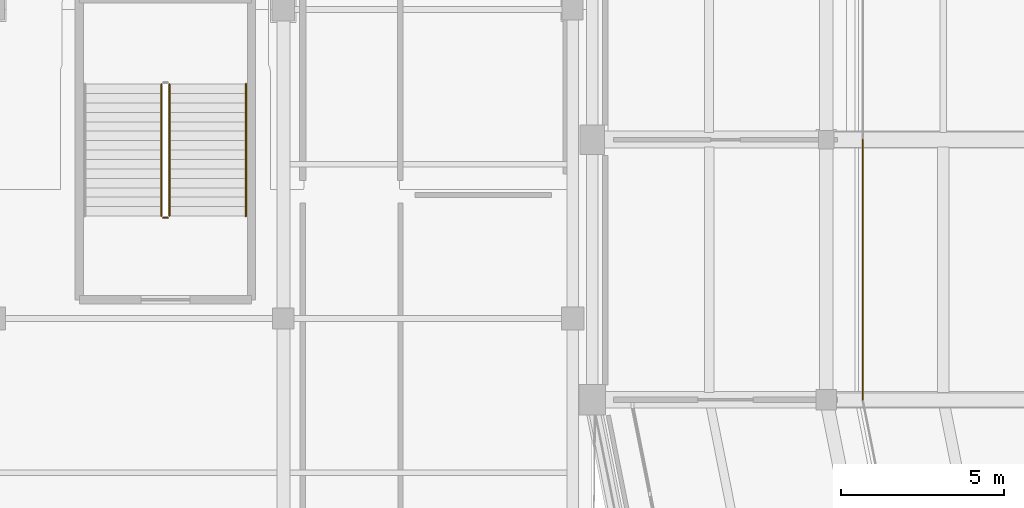
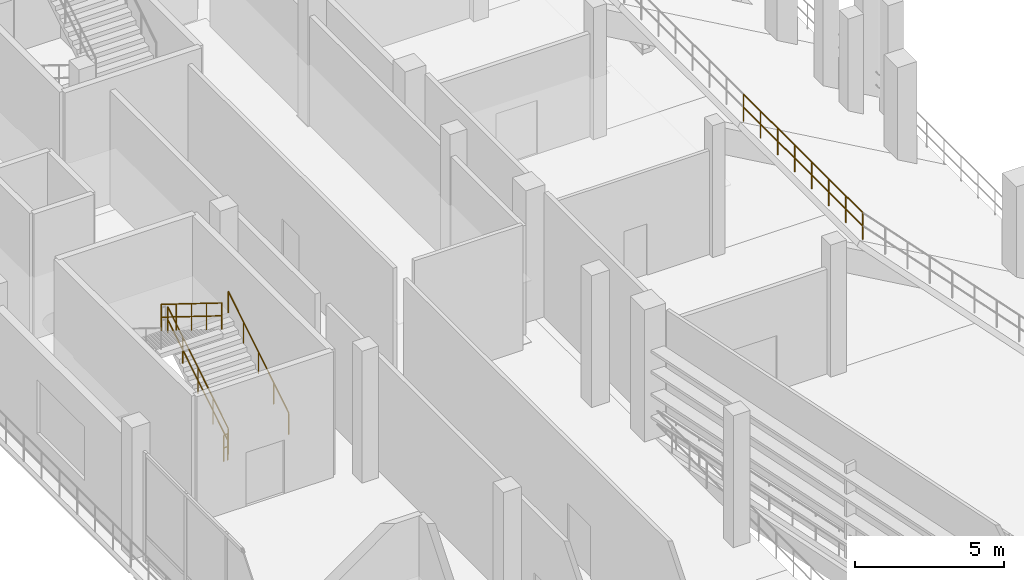
# One storey, part 103 of 127: 5 railings.
"""IFC4 building model written with IfcOpenShell, lengths in metres."""

import ifcopenshell
import ifcopenshell.guid

model = None  # the IFC model being written
_history = None  # IfcOwnerHistory: only IFC2X3 demands one
_inside = {}  # id of a spatial element -> (the spatial element, [elements in it])
_under = {}  # id of a project, library or spatial element -> (it, [spatial elements below it])
_declared = {}  # id of a project -> (the project, [libraries it declares])
_typed = {}  # id of a type object -> (the type object, [elements of that type])
_made_of = {}  # id of a material, layer set ... -> (it, [elements and type objects made of it])


def new_model(schema):
    """Start an empty IFC model of exactly this schema.

    Asked for "IFC4X3", IfcOpenShell would pick the latest addendum, in which some entities
    have other attributes; the version numbers below select the first issue.
    IFC2X3 requires an IfcOwnerHistory on every rooted entity: one is made here for all.
    """
    global model, _history
    if schema == "IFC4X3":
        model = ifcopenshell.file(schema_version=(4, 3, 0, 0))
    else:
        model = ifcopenshell.file(schema=schema)
    _inside.clear()
    _under.clear()
    _declared.clear()
    _typed.clear()
    _made_of.clear()
    _history = None
    if model.schema == "IFC2X3":
        org = make("IfcOrganization", Name="unknown")
        user = make(
            "IfcPersonAndOrganization",
            ThePerson=make("IfcPerson", FamilyName="unknown"),
            TheOrganization=org,
        )
        app = make(
            "IfcApplication",
            ApplicationDeveloper=org,
            Version="unknown",
            ApplicationFullName="unknown",
            ApplicationIdentifier="unknown",
        )
        _history = make(
            "IfcOwnerHistory",
            OwningUser=user,
            OwningApplication=app,
            ChangeAction="ADDED",
            CreationDate=0,
        )
    return model


def make(cls, **values):
    """One entity of the class cls with the attributes given. An attribute that is None is left unset."""
    return model.create_entity(
        cls, **{name: value for name, value in values.items() if value is not None}
    )


def rooted(cls, **values):
    """An entity with a GlobalId (a new one), such as an element, a storey or a relation."""
    return make(cls, GlobalId=ifcopenshell.guid.new(), OwnerHistory=_history, **values)


def si_unit(unit_type, name, prefix=None):
    """IfcSIUnit, for example si_unit("LENGTHUNIT", "METRE", prefix="MILLI")."""
    return make("IfcSIUnit", UnitType=unit_type, Prefix=prefix, Name=name)


def assignment(units):
    """IfcUnitAssignment: the units of a project."""
    return None if units is None else make("IfcUnitAssignment", Units=units)


def point(xyz):
    """IfcCartesianPoint."""
    return None if xyz is None else make("IfcCartesianPoint", Coordinates=xyz)


def direction(xyz):
    """IfcDirection."""
    return None if xyz is None else make("IfcDirection", DirectionRatios=xyz)


def frame(location, z_axis=None, x_axis=None):
    """IfcAxis2Placement3D, a coordinate frame: its origin and axes. An axis left out is left unset."""
    return make(
        "IfcAxis2Placement3D",
        Location=point(location),
        Axis=direction(z_axis),
        RefDirection=direction(x_axis),
    )


def frame_2d(location, x_axis=None):
    """IfcAxis2Placement2D, a coordinate frame in the plane: its origin and x axis."""
    return make(
        "IfcAxis2Placement2D", Location=point(location), RefDirection=direction(x_axis)
    )


def origin():
    """The frame at (0, 0, 0) with its axes left unset."""
    return frame((0.0, 0.0, 0.0))


def origin_2d():
    """The frame at (0, 0) in the plane with its x axis left unset."""
    return frame_2d((0.0, 0.0))


def place(relative_to, where):
    """IfcLocalPlacement: puts the frame where relative to a parent placement (None: the world)."""
    return make(
        "IfcLocalPlacement", PlacementRelTo=relative_to, RelativePlacement=where
    )


def context(
    kind, dimensions, precision=None, world=None, true_north=None, identifier=None
):
    """IfcGeometricRepresentationContext, for example the 3D "Model" context."""
    return make(
        "IfcGeometricRepresentationContext",
        ContextIdentifier=identifier,
        ContextType=kind,
        CoordinateSpaceDimension=dimensions,
        Precision=precision,
        WorldCoordinateSystem=world,
        TrueNorth=true_north,
    )


def subcontext(parent, identifier, kind, view, scale=None):
    """IfcGeometricRepresentationSubContext, for example "Body" below "Model"."""
    return make(
        "IfcGeometricRepresentationSubContext",
        ContextIdentifier=identifier,
        ContextType=kind,
        ParentContext=parent,
        TargetScale=scale,
        TargetView=view,
    )


def project(units=None, contexts=None):
    """IfcProject with its units and contexts."""
    return rooted(
        "IfcProject",
        Name="project",
        RepresentationContexts=contexts,
        UnitsInContext=assignment(units),
    )


def spatial(cls, under=None, at=None, **own):
    """A site, building, storey or space (cls), placed at a placement, below another one or the project."""
    s = rooted(cls, ObjectPlacement=at, **own)
    if under is not None:
        _under.setdefault(under.id(), (under, []))[1].append(s)
    return s


def profile(cls, at=None, kind="AREA", **sizes):
    """A parametric profile (cls). Its sizes go by their IFC names, for example OverallWidth=200.0."""
    return make(cls, ProfileType=kind, Position=at, **sizes)


def circle(**sizes):
    """IfcCircleProfileDef."""
    return profile("IfcCircleProfileDef", **sizes)


def extrude(swept, where, along, depth):
    """IfcExtrudedAreaSolid: the profile swept, set in the frame where, extruded along a direction by depth."""
    return make(
        "IfcExtrudedAreaSolid",
        SweptArea=swept,
        Position=where,
        ExtrudedDirection=direction(along),
        Depth=depth,
    )


def shape(context_of_items, identifier, shape_type, items):
    """IfcShapeRepresentation: the items that make up one representation, for example the "Body"."""
    return make(
        "IfcShapeRepresentation",
        ContextOfItems=context_of_items,
        RepresentationIdentifier=identifier,
        RepresentationType=shape_type,
        Items=items,
    )


def material(Name=None, Category=None):
    """IfcMaterial."""
    return make("IfcMaterial", Name=Name, Category=Category)


def layer(
    of_material, thickness, ventilated=None, Name=None, Category=None, Priority=None
):
    """IfcMaterialLayer: one layer of a wall or slab, of a material (None: an air gap)."""
    return make(
        "IfcMaterialLayer",
        Material=of_material,
        LayerThickness=thickness,
        IsVentilated=ventilated,
        Name=Name,
        Category=Category,
        Priority=Priority,
    )


def layer_set(layers, Name=None):
    """IfcMaterialLayerSet."""
    return make("IfcMaterialLayerSet", MaterialLayers=layers, LayerSetName=Name)


def made_of(thing, what):
    """Note that an element or type object is made of a material, layer set ...; save() writes the relation."""
    if what is not None:
        _made_of.setdefault(what.id(), (what, []))[1].append(thing)
    return thing


def type_object(cls, material=None, **own):
    """A type object (cls), such as IfcWallType, which elements share."""
    return made_of(rooted(cls, **own), material)


def element(
    cls,
    number,
    at=None,
    inside=None,
    cuts=None,
    type_object=None,
    material=None,
    context=None,
    identifier="Body",
    shape_type=None,
    held_by="IfcProductDefinitionShape",
    body=None,
    shapes=None,
    **own,
):
    """One element of the class cls, such as IfcWall. Its Tag is "e" and its number.

    at: its placement. inside: the storey or other place that contains it. cuts: it is an
    opening in that element (IfcRelVoidsElement). A single representation is given by context,
    identifier, shape_type and body (its items); several are given by shapes. held_by: the class
    of the entity that holds the representations. save() writes the other relations.
    """
    e = rooted(cls, Tag="e%d" % number, ObjectPlacement=at, **own)
    if body is not None:
        shapes = [shape(context, identifier, shape_type, body)]
    if shapes is not None:
        e.Representation = make(held_by, Representations=shapes)
    if inside is not None:
        _inside.setdefault(inside.id(), (inside, []))[1].append(e)
    if cuts is not None:
        rooted(
            "IfcRelVoidsElement", RelatingBuildingElement=cuts, RelatedOpeningElement=e
        )
    if type_object is not None:
        _typed.setdefault(type_object.id(), (type_object, []))[1].append(e)
    return made_of(e, material)


def aggregate(whole, parts):
    """IfcRelAggregates: a whole, such as a stair, and the parts it consists of."""
    return rooted("IfcRelAggregates", RelatingObject=whole, RelatedObjects=parts)


def save(model, path):
    """Write the relations noted so far, then the file.

    IfcRelAggregates (storeys below a building ...), IfcRelContainedInSpatialStructure (elements
    in a storey), IfcRelDefinesByType, IfcRelAssociatesMaterial and IfcRelDeclares: one each for
    every whole, place, type object, material and project.
    """
    for whole, parts in _under.values():
        aggregate(whole, parts)
    for where, things in _inside.values():
        rooted(
            "IfcRelContainedInSpatialStructure",
            RelatedElements=things,
            RelatingStructure=where,
        )
    for kind, things in _typed.values():
        rooted("IfcRelDefinesByType", RelatedObjects=things, RelatingType=kind)
    for what, things in _made_of.values():
        rooted("IfcRelAssociatesMaterial", RelatedObjects=things, RelatingMaterial=what)
    for by, libraries in _declared.values():
        rooted("IfcRelDeclares", RelatingContext=by, RelatedDefinitions=libraries)
    model.write(path)


model = new_model("IFC4")

# Units and contexts
model_context = context("Model", 3, precision=1e-05, world=origin(), true_north=direction((0.0, 1.0)))
body_context = subcontext(model_context, "Body", "Model", "MODEL_VIEW")
ifc_project = project(units=[si_unit("LENGTHUNIT", "METRE"), si_unit("AREAUNIT", "SQUARE_METRE"), si_unit("VOLUMEUNIT", "CUBIC_METRE"), si_unit("PLANEANGLEUNIT", "RADIAN"), si_unit("MASSUNIT", "GRAM", prefix="KILO")], contexts=[model_context])

# Site, building, storey
site_placement = place(None, origin())
site = spatial("IfcSite", under=ifc_project, at=site_placement, CompositionType="ELEMENT")
building_placement = place(site_placement, origin())
building = spatial("IfcBuilding", under=site, at=building_placement, Name="Candeia Ridge Stadium", CompositionType="ELEMENT")
storey_placement = place(building_placement, frame((0.0, 0.0, 10.800048828125)))
storey = spatial("IfcBuildingStorey", under=building, at=storey_placement, Name="L02", CompositionType="ELEMENT", Elevation=10.800048828125)

# Railings
ifc_material_1 = material(Name="Galvanized Powder-Coated Steel", Category="steel")
ifc_layer_1 = layer(ifc_material_1, 0.074951171875, Name="Galvanized Powder-Coated Steel", Category="steel")
ifc_layer_set_1 = layer_set([ifc_layer_1], Name="Galvanized Powder-Coated Steel")
railing_type_1 = type_object("IfcRailingType", Name="Spectator Bowl Front Guardrail 1120", PredefinedType="GUARDRAIL", material=ifc_layer_set_1)
railing_1_placement = place(storey_placement, frame((27.320068359375, 79.0, 4.949951171875)))
element("IfcRailing", 1, at=railing_1_placement, inside=storey, type_object=railing_type_1, Name="Stand T2 rear safety guardrail bay 14", PredefinedType="GUARDRAIL", context=body_context, shape_type="SweptSolid", body=[
    extrude(circle(Radius=0.02392578125, at=origin_2d()), frame((0.0, 0.0, 1.09619140625), z_axis=(0.0, -1.0, 0.0), x_axis=(1.0, 0.0, 0.0)), (0.0, 0.0, 1.0), 8.0),
    extrude(circle(Radius=0.02392578125, at=origin_2d()), frame((0.0, 0.0, 0.56005859375), z_axis=(0.0, -1.0, 0.0), x_axis=(1.0, 0.0, 0.0)), (0.0, 0.0, 1.0), 8.0),
    extrude(circle(Radius=0.02099609375, at=origin_2d()), origin(), (0.0, 0.0, 1.0), 1.072021484375),
    extrude(circle(Radius=0.02099609375, at=origin_2d()), frame((0.0, -1.142822265625, 0.0)), (0.0, 0.0, 1.0), 1.072021484375),
    extrude(circle(Radius=0.02099609375, at=origin_2d()), frame((0.0, -2.28564453125, 0.0)), (0.0, 0.0, 1.0), 1.072021484375),
    extrude(circle(Radius=0.02099609375, at=origin_2d()), frame((0.0, -3.428466796875, 0.0)), (0.0, 0.0, 1.0), 1.072021484375),
    extrude(circle(Radius=0.02099609375, at=origin_2d()), frame((0.0, -4.571533203125, 0.0)), (0.0, 0.0, 1.0), 1.072021484375),
    extrude(circle(Radius=0.02099609375, at=origin_2d()), frame((0.0, -5.71435546875, 0.0)), (0.0, 0.0, 1.0), 1.072021484375),
    extrude(circle(Radius=0.02099609375, at=origin_2d()), frame((0.0, -6.857177734375, 0.0)), (0.0, 0.0, 1.0), 1.072021484375),
    extrude(circle(Radius=0.02099609375, at=origin_2d()), frame((0.0, -8.0, 0.0)), (0.0, 0.0, 1.0), 1.072021484375),
])
ifc_material_2 = material(Name="Brushed Stainless Steel", Category="steel")
ifc_layer_2 = layer(ifc_material_2, 0.048095703125, Name="Brushed Stainless Steel", Category="steel")
ifc_layer_set_2 = layer_set([ifc_layer_2], Name="Brushed Stainless Steel")
railing_type_2 = type_object("IfcRailingType", Name="Stair Wall & Flight Handrail 900", PredefinedType="HANDRAIL", material=ifc_layer_set_2)
railing_2_placement = place(storey_placement, frame((8.35009765625, 76.64990234375, 0.179931640625)))
element("IfcRailing", 2, at=railing_2_placement, inside=storey, type_object=railing_type_2, Name="L02 ST07 stair handrail 1", PredefinedType="HANDRAIL", context=body_context, shape_type="SweptSolid", body=[
    extrude(circle(Radius=0.02392578125, at=origin_2d()), frame((0.0, 0.0, 0.8759765625), z_axis=(0.0, 0.849641744969, 0.527360318194), x_axis=(-1.0, 0.0, 0.0)), (0.0, 0.0, 1.0), 4.778564453125),
    extrude(circle(Radius=0.02099609375, at=origin_2d()), origin(), (0.0, 0.0, 1.0), 0.851806640625),
    extrude(circle(Radius=0.02099609375, at=origin_2d()), frame((0.0, 1.01513671875, 0.6298828125)), (0.0, 0.0, 1.0), 0.851806640625),
    extrude(circle(Radius=0.02099609375, at=origin_2d()), frame((0.0, 2.030029296875, 1.260009765625)), (0.0, 0.0, 1.0), 0.851806640625),
    extrude(circle(Radius=0.02099609375, at=origin_2d()), frame((0.0, 3.044921875, 1.89013671875)), (0.0, 0.0, 1.0), 0.851806640625),
    extrude(circle(Radius=0.02099609375, at=origin_2d()), frame((0.0, 4.06005859375, 2.52001953125)), (0.0, 0.0, 1.0), 0.851806640625),
])
ifc_layer_3 = layer(ifc_material_1, 0.06005859375, Name="Galvanized Powder-Coated Steel", Category="steel")
ifc_layer_set_3 = layer_set([ifc_layer_3], Name="Galvanized Powder-Coated Steel")
railing_type_3 = type_object("IfcRailingType", Name="Stair Well Guardrail 1100", PredefinedType="GUARDRAIL", material=ifc_layer_set_3)
railing_3_placement = place(storey_placement, frame((6.0, 76.64990234375, 0.179931640625)))
element("IfcRailing", 3, at=railing_3_placement, inside=storey, type_object=railing_type_3, Name="L02 ST07 stair guard 1", PredefinedType="GUARDRAIL", context=body_context, shape_type="SweptSolid", body=[
    extrude(circle(Radius=0.02392578125, at=origin_2d()), frame((0.0, 0.0, 1.076171875), z_axis=(0.0, 0.849641744969, 0.527360318194), x_axis=(-1.0, 0.0, 0.0)), (0.0, 0.0, 1.0), 4.778564453125),
    extrude(circle(Radius=0.02392578125, at=origin_2d()), frame((0.0, 0.0, 0.550048828125), z_axis=(0.0, 0.849641744969, 0.527360318194), x_axis=(-1.0, 0.0, 0.0)), (0.0, 0.0, 1.0), 4.778564453125),
    extrude(circle(Radius=0.02099609375, at=origin_2d()), origin(), (0.0, 0.0, 1.0), 1.052001953125),
    extrude(circle(Radius=0.02099609375, at=origin_2d()), frame((0.0, 1.01513671875, 0.6298828125)), (0.0, 0.0, 1.0), 1.052001953125),
    extrude(circle(Radius=0.02099609375, at=origin_2d()), frame((0.0, 2.030029296875, 1.260009765625)), (0.0, 0.0, 1.0), 1.052001953125),
    extrude(circle(Radius=0.02099609375, at=origin_2d()), frame((0.0, 3.044921875, 1.89013671875)), (0.0, 0.0, 1.0), 1.052001953125),
    extrude(circle(Radius=0.02099609375, at=origin_2d()), frame((0.0, 4.06005859375, 2.52001953125)), (0.0, 0.0, 1.0), 1.052001953125),
])
railing_4_placement = place(storey_placement, frame((5.75, 80.7099609375, 2.8798828125)))
element("IfcRailing", 4, at=railing_4_placement, inside=storey, type_object=railing_type_3, Name="L02 ST07 stair guard 3", PredefinedType="GUARDRAIL", context=body_context, shape_type="SweptSolid", body=[
    extrude(circle(Radius=0.02392578125, at=origin_2d()), frame((0.0, 0.0, 1.076171875), z_axis=(0.0, -0.849641744969, 0.527360318194), x_axis=(1.0, 0.0, 0.0)), (0.0, 0.0, 1.0), 4.778564453125),
    extrude(circle(Radius=0.02392578125, at=origin_2d()), frame((0.0, 0.0, 0.550048828125), z_axis=(0.0, -0.849641744969, 0.527360318194), x_axis=(1.0, 0.0, 0.0)), (0.0, 0.0, 1.0), 4.778564453125),
    extrude(circle(Radius=0.02099609375, at=origin_2d()), origin(), (0.0, 0.0, 1.0), 1.052001953125),
    extrude(circle(Radius=0.02099609375, at=origin_2d()), frame((0.0, -1.01513671875, 0.6298828125)), (0.0, 0.0, 1.0), 1.052001953125),
    extrude(circle(Radius=0.02099609375, at=origin_2d()), frame((0.0, -2.030029296875, 1.260009765625)), (0.0, 0.0, 1.0), 1.052001953125),
    extrude(circle(Radius=0.02099609375, at=origin_2d()), frame((0.0, -3.044921875, 1.89013671875)), (0.0, 0.0, 1.0), 1.052001953125),
    extrude(circle(Radius=0.02099609375, at=origin_2d()), frame((0.0, -4.06005859375, 2.52001953125)), (0.0, 0.0, 1.0), 1.052001953125),
])
railing_5_placement = place(storey_placement, frame((5.949951171875, 76.60009765625, 0.0)))
element("IfcRailing", 5, at=railing_5_placement, inside=storey, type_object=railing_type_3, Name="L02 ST07 stair guard 4", PredefinedType="GUARDRAIL", context=body_context, shape_type="SweptSolid", body=[
    extrude(circle(Radius=0.02392578125, at=origin_2d()), frame((0.0, 0.0, 1.076171875), z_axis=(-1.0, 0.0, 0.0), x_axis=(0.0, -1.0, 0.0)), (0.0, 0.0, 1.0), 0.14990234375),
    extrude(circle(Radius=0.02392578125, at=origin_2d()), frame((0.0, 0.0, 0.550048828125), z_axis=(-1.0, 0.0, 0.0), x_axis=(0.0, -1.0, 0.0)), (0.0, 0.0, 1.0), 0.14990234375),
    extrude(circle(Radius=0.02099609375, at=origin_2d()), origin(), (0.0, 0.0, 1.0), 1.052001953125),
    extrude(circle(Radius=0.02099609375, at=origin_2d()), frame((-0.14990234375, 0.0, 0.0)), (0.0, 0.0, 1.0), 1.052001953125),
])

save(model, "model.ifc")
